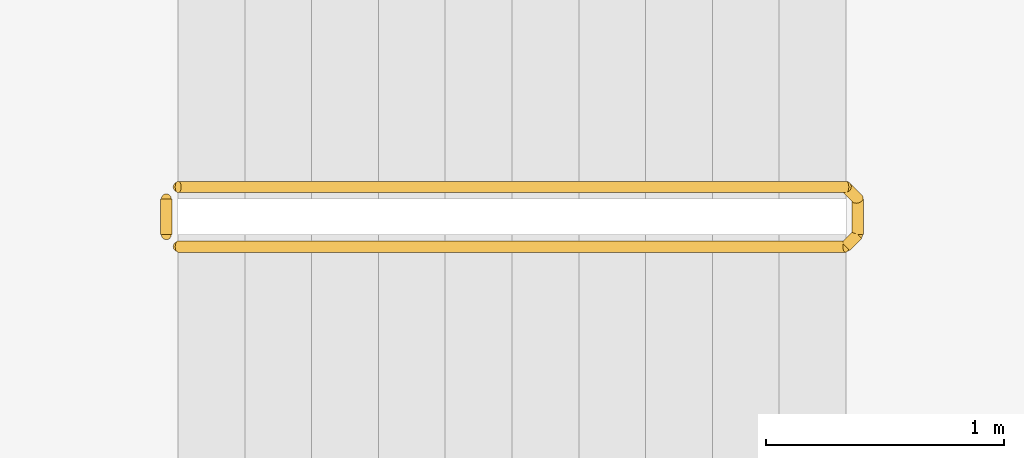
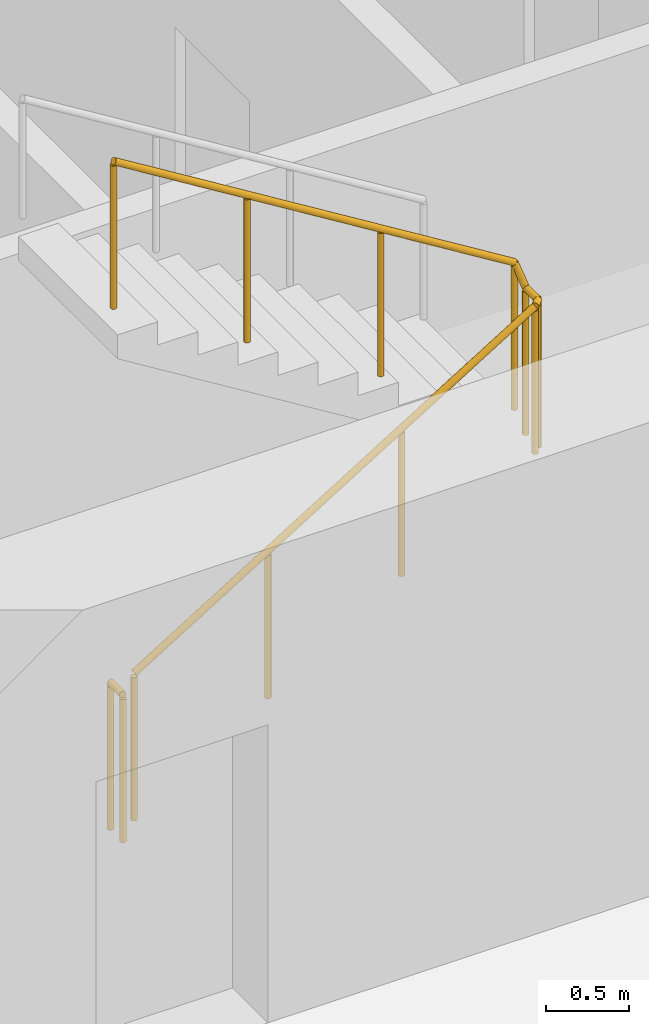
# One storey, part 10 of 14: 2 railings.
"""IFC4 building model written with IfcOpenShell, lengths in metres."""

from ifc_helpers import new_model, si_unit, direction, frame, origin, origin_2d, place, context, subcontext, project, spatial, circle, extrude, material, type_object, element, save


model = new_model("IFC4")

# Units and contexts
model_context = context("Model", 3, precision=1e-05, world=origin(), true_north=direction((0.0, 1.0)))
body_context = subcontext(model_context, "Body", "Model", "MODEL_VIEW")
ifc_project = project(units=[si_unit("LENGTHUNIT", "METRE"), si_unit("AREAUNIT", "SQUARE_METRE"), si_unit("VOLUMEUNIT", "CUBIC_METRE"), si_unit("PLANEANGLEUNIT", "RADIAN"), si_unit("MASSUNIT", "GRAM", prefix="KILO")], contexts=[model_context])

# Site, building, storey
site_placement = place(None, origin())
site = spatial("IfcSite", under=ifc_project, at=site_placement, CompositionType="ELEMENT")
building_placement = place(site_placement, origin())
building = spatial("IfcBuilding", under=site, at=building_placement, Name="Orbiselva Terraces", CompositionType="ELEMENT")
storey_placement = place(building_placement, frame((0.0, 0.0, 34.0)))
storey = spatial("IfcBuildingStorey", under=building, at=storey_placement, Name="L08", CompositionType="ELEMENT", Elevation=34.0)

# Railings
ifc_material = material(Name="Stainless steel", Category="steel")
railing_type = type_object("IfcRailingType", Name="CORE-GUARD-1100", PredefinedType="GUARDRAIL", material=ifc_material)
railing_1_placement = place(storey_placement, frame((-7.15, 6.55, 0.172727)))
element("IfcRailing", 1, at=railing_1_placement, inside=storey, type_object=railing_type, Name="L08 S3 stair guard 1", PredefinedType="GUARDRAIL", context=body_context, shape_type="SweptSolid", body=[
    extrude(circle(Radius=0.024, at=origin_2d()), frame((0.0, 0.0, 1.081), z_axis=(0.851088519012, 0.0, 0.52502222125), x_axis=(0.0, 1.0, 0.0)), (0.0, 0.0, 1.0), 3.289905),
    extrude(circle(Radius=0.024, at=origin_2d()), frame((2.8, 0.0, 2.808273), z_axis=(0.707106781187, 0.707106781187, 0.0), x_axis=(-0.707106781187, 0.707106781187, 0.0)), (0.0, 0.0, 1.0), 0.070711),
    extrude(circle(Radius=0.024, at=origin_2d()), frame((2.85, 0.05, 2.808273), z_axis=(0.0, 1.0, 0.0), x_axis=(-1.0, 0.0, 0.0)), (0.0, 0.0, 1.0), 0.15),
    extrude(circle(Radius=0.024, at=origin_2d()), frame((2.85, 0.2, 2.808273), z_axis=(-0.267894925557, 0.267894925557, 0.925453736133), x_axis=(-0.707106781187, -0.707106781187, 0.0)), (0.0, 0.0, 1.0), 0.18664),
    extrude(circle(Radius=0.024, at=origin_2d()), frame((2.8, 0.25, 2.981), z_axis=(-0.851088519012, 0.0, 0.52502222125), x_axis=(0.0, -1.0, 0.0)), (0.0, 0.0, 1.0), 3.289905),
    extrude(circle(Radius=0.021, at=origin_2d()), origin(), (0.0, 0.0, 1.0), 1.057),
    extrude(circle(Radius=0.021, at=origin_2d()), frame((0.933333, 0.0, 0.575758)), (0.0, 0.0, 1.0), 1.057),
    extrude(circle(Radius=0.021, at=origin_2d()), frame((1.866667, 0.0, 1.151515)), (0.0, 0.0, 1.0), 1.057),
    extrude(circle(Radius=0.021, at=origin_2d()), frame((2.8, 0.0, 1.727273)), (0.0, 0.0, 1.0), 1.057),
    extrude(circle(Radius=0.021, at=origin_2d()), frame((2.85, 0.05, 1.727273)), (0.0, 0.0, 1.0), 1.057),
    extrude(circle(Radius=0.021, at=origin_2d()), frame((2.85, 0.2, 1.727273)), (0.0, 0.0, 1.0), 1.057),
    extrude(circle(Radius=0.021, at=origin_2d()), frame((2.8, 0.25, 1.9)), (0.0, 0.0, 1.0), 1.057),
    extrude(circle(Radius=0.021, at=origin_2d()), frame((1.866667, 0.25, 2.475758)), (0.0, 0.0, 1.0), 1.057),
    extrude(circle(Radius=0.021, at=origin_2d()), frame((0.933333, 0.25, 3.051515)), (0.0, 0.0, 1.0), 1.057),
    extrude(circle(Radius=0.021, at=origin_2d()), frame((0.0, 0.25, 3.627273)), (0.0, 0.0, 1.0), 1.057),
])
railing_2_placement = place(storey_placement, frame((-7.2, 6.6, 0.0)))
element("IfcRailing", 2, at=railing_2_placement, inside=storey, type_object=railing_type, Name="L08 S3 stair guard 2", PredefinedType="GUARDRAIL", context=body_context, shape_type="SweptSolid", body=[
    extrude(circle(Radius=0.024, at=origin_2d()), frame((0.0, 0.0, 1.081), z_axis=(0.0, 1.0, 0.0), x_axis=(-1.0, 0.0, 0.0)), (0.0, 0.0, 1.0), 0.15),
    extrude(circle(Radius=0.021, at=origin_2d()), origin(), (0.0, 0.0, 1.0), 1.057),
    extrude(circle(Radius=0.021, at=origin_2d()), frame((0.0, 0.15, 0.0)), (0.0, 0.0, 1.0), 1.057),
])

save(model, "model.ifc")
